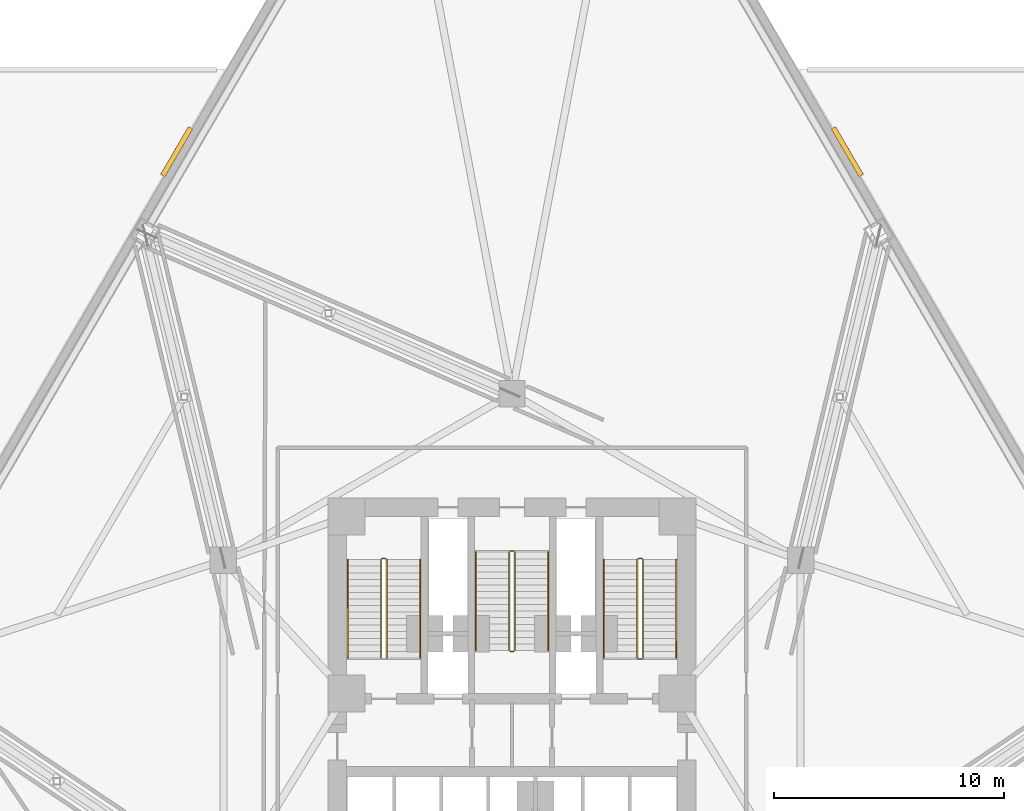
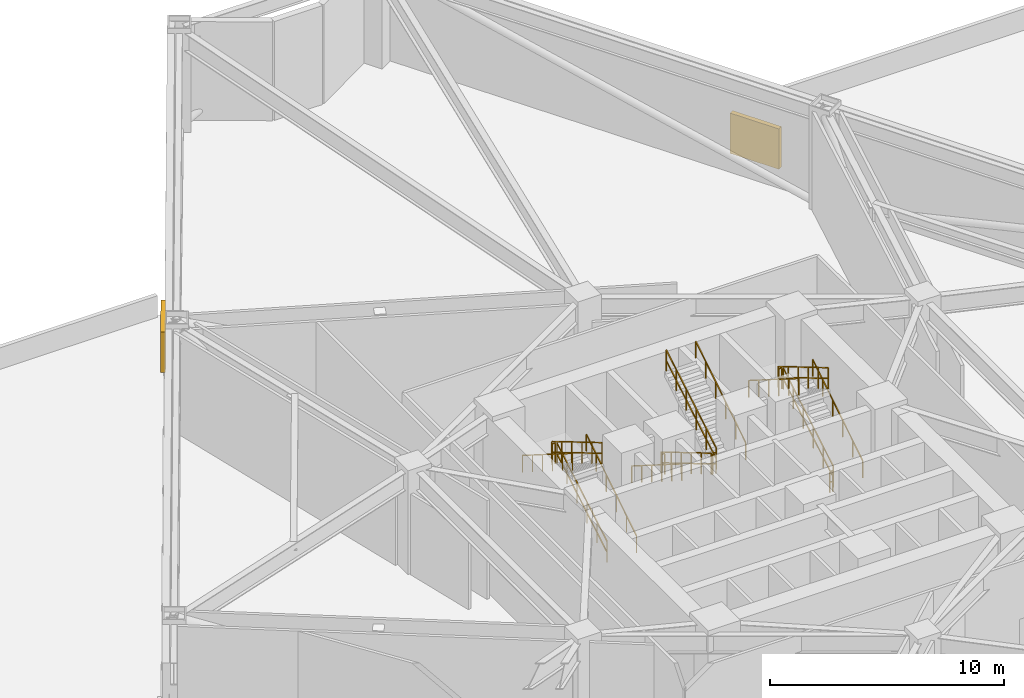
# One storey, part 22 of 23: 17 railings, 2 shading devices.
"""IFC4 building model written with IfcOpenShell, lengths in metres."""

from ifc_helpers import new_model, si_unit, direction, frame, origin, origin_2d, place, context, subcontext, project, spatial, rectangle, extrude, material, type_object, element, save


model = new_model("IFC4")

# Units and contexts
model_context = context("Model", 3, precision=1e-05, world=origin(), true_north=direction((0.0, 1.0)))
body_context = subcontext(model_context, "Body", "Model", "MODEL_VIEW")
ifc_project = project(units=[si_unit("LENGTHUNIT", "METRE"), si_unit("AREAUNIT", "SQUARE_METRE"), si_unit("VOLUMEUNIT", "CUBIC_METRE"), si_unit("PLANEANGLEUNIT", "RADIAN"), si_unit("MASSUNIT", "GRAM", prefix="KILO")], contexts=[model_context])

# Site, building, storey
site_placement = place(None, origin())
site = spatial("IfcSite", under=ifc_project, at=site_placement, CompositionType="ELEMENT")
building_placement = place(site_placement, origin())
building = spatial("IfcBuilding", under=site, at=building_placement, Name="Apsidion Concourse Tower", CompositionType="ELEMENT")
storey_placement = place(building_placement, frame((0.0, 0.0, 29.0)))
storey = spatial("IfcBuildingStorey", under=building, at=storey_placement, Name="L05", CompositionType="ELEMENT", Elevation=29.0)

# Railings
ifc_material_1 = material(Name="Brushed stainless steel 316", Category="steel")
railing_type_1 = type_object("IfcRailingType", Name="RL-GUARD-1100", PredefinedType="GUARDRAIL", material=ifc_material_1)
railing_1_placement = place(storey_placement, frame((-5.449951171875, 3.0, 0.168701171875)))
element("IfcRailing", 1, at=railing_1_placement, inside=storey, type_object=railing_type_1, Name="L05 ST1 stair guard 1", PredefinedType="GUARDRAIL", context=body_context, shape_type="SweptSolid", body=[
    extrude(rectangle(XDim=0.048095703125, YDim=0.048095703125, at=origin_2d()), frame((0.0, 0.0, 1.09619140625), z_axis=(0.0, 0.860470286479, 0.509500624227), x_axis=(-1.0, 0.0, 0.0)), (0.0, 0.0, 1.0), 4.968017578125),
    extrude(rectangle(XDim=0.048095703125, YDim=0.048095703125, at=origin_2d()), frame((0.0, 0.0, 0.5361328125), z_axis=(0.0, 0.860470286479, 0.509500624227), x_axis=(-1.0, 0.0, 0.0)), (0.0, 0.0, 1.0), 4.968017578125),
    extrude(rectangle(XDim=0.0419921875, YDim=0.0419921875, at=origin_2d()), origin(), (0.0, 0.0, 1.0), 1.072021484375),
    extrude(rectangle(XDim=0.0419921875, YDim=0.0419921875, at=origin_2d()), frame((0.0, 0.85498046875, 0.50634765625)), (0.0, 0.0, 1.0), 1.072021484375),
    extrude(rectangle(XDim=0.0419921875, YDim=0.0419921875, at=origin_2d()), frame((0.0, 1.7099609375, 1.012451171875)), (0.0, 0.0, 1.0), 1.072021484375),
    extrude(rectangle(XDim=0.0419921875, YDim=0.0419921875, at=origin_2d()), frame((0.0, 2.56494140625, 1.518798828125)), (0.0, 0.0, 1.0), 1.072021484375),
    extrude(rectangle(XDim=0.0419921875, YDim=0.0419921875, at=origin_2d()), frame((0.0, 3.419921875, 2.02490234375)), (0.0, 0.0, 1.0), 1.072021484375),
    extrude(rectangle(XDim=0.0419921875, YDim=0.0419921875, at=origin_2d()), frame((0.0, 4.27490234375, 2.53125)), (0.0, 0.0, 1.0), 1.072021484375),
])
railing_2_placement = place(storey_placement, frame((-5.5, 7.324951171875, 2.699951171875)))
element("IfcRailing", 2, at=railing_2_placement, inside=storey, type_object=railing_type_1, Name="L05 ST1 stair guard 2", PredefinedType="GUARDRAIL", context=body_context, shape_type="SweptSolid", body=[
    extrude(rectangle(XDim=0.048095703125, YDim=0.048095703125, at=origin_2d()), frame((0.0, 0.0, 1.09619140625), z_axis=(-1.0, 0.0, 0.0), x_axis=(0.0, -1.0, 0.0)), (0.0, 0.0, 1.0), 0.14990234375),
    extrude(rectangle(XDim=0.048095703125, YDim=0.048095703125, at=origin_2d()), frame((0.0, 0.0, 0.5361328125), z_axis=(-1.0, 0.0, 0.0), x_axis=(0.0, -1.0, 0.0)), (0.0, 0.0, 1.0), 0.14990234375),
    extrude(rectangle(XDim=0.0419921875, YDim=0.0419921875, at=origin_2d()), origin(), (0.0, 0.0, 1.0), 1.072021484375),
    extrude(rectangle(XDim=0.0419921875, YDim=0.0419921875, at=origin_2d()), frame((-0.14990234375, 0.0, 0.0)), (0.0, 0.0, 1.0), 1.072021484375),
])
railing_3_placement = place(storey_placement, frame((-5.699951171875, 7.27490234375, 2.86865234375)))
element("IfcRailing", 3, at=railing_3_placement, inside=storey, type_object=railing_type_1, Name="L05 ST1 stair guard 3", PredefinedType="GUARDRAIL", context=body_context, shape_type="SweptSolid", body=[
    extrude(rectangle(XDim=0.048095703125, YDim=0.048095703125, at=origin_2d()), frame((0.0, 0.0, 1.09619140625), z_axis=(0.0, -0.860470286479, 0.509500624227), x_axis=(1.0, 0.0, 0.0)), (0.0, 0.0, 1.0), 4.968017578125),
    extrude(rectangle(XDim=0.048095703125, YDim=0.048095703125, at=origin_2d()), frame((0.0, 0.0, 0.5361328125), z_axis=(0.0, -0.860470286479, 0.509500624227), x_axis=(1.0, 0.0, 0.0)), (0.0, 0.0, 1.0), 4.968017578125),
    extrude(rectangle(XDim=0.0419921875, YDim=0.0419921875, at=origin_2d()), origin(), (0.0, 0.0, 1.0), 1.072021484375),
    extrude(rectangle(XDim=0.0419921875, YDim=0.0419921875, at=origin_2d()), frame((0.0, -0.85498046875, 0.50634765625)), (0.0, 0.0, 1.0), 1.072021484375),
    extrude(rectangle(XDim=0.0419921875, YDim=0.0419921875, at=origin_2d()), frame((0.0, -1.7099609375, 1.012451171875)), (0.0, 0.0, 1.0), 1.072021484375),
    extrude(rectangle(XDim=0.0419921875, YDim=0.0419921875, at=origin_2d()), frame((0.0, -2.56494140625, 1.518798828125)), (0.0, 0.0, 1.0), 1.072021484375),
    extrude(rectangle(XDim=0.0419921875, YDim=0.0419921875, at=origin_2d()), frame((0.0, -3.419921875, 2.02490234375)), (0.0, 0.0, 1.0), 1.072021484375),
    extrude(rectangle(XDim=0.0419921875, YDim=0.0419921875, at=origin_2d()), frame((0.0, -4.27490234375, 2.53125)), (0.0, 0.0, 1.0), 1.072021484375),
])
railing_4_placement = place(storey_placement, frame((5.699951171875, 3.0, 0.168701171875)))
element("IfcRailing", 4, at=railing_4_placement, inside=storey, type_object=railing_type_1, Name="L05 ST2 stair guard 1", PredefinedType="GUARDRAIL", context=body_context, shape_type="SweptSolid", body=[
    extrude(rectangle(XDim=0.048095703125, YDim=0.048095703125, at=origin_2d()), frame((0.0, 0.0, 1.09619140625), z_axis=(0.0, 0.860470286479, 0.509500624227), x_axis=(-1.0, 0.0, 0.0)), (0.0, 0.0, 1.0), 4.968017578125),
    extrude(rectangle(XDim=0.048095703125, YDim=0.048095703125, at=origin_2d()), frame((0.0, 0.0, 0.5361328125), z_axis=(0.0, 0.860470286479, 0.509500624227), x_axis=(-1.0, 0.0, 0.0)), (0.0, 0.0, 1.0), 4.968017578125),
    extrude(rectangle(XDim=0.0419921875, YDim=0.0419921875, at=origin_2d()), origin(), (0.0, 0.0, 1.0), 1.072021484375),
    extrude(rectangle(XDim=0.0419921875, YDim=0.0419921875, at=origin_2d()), frame((0.0, 0.85498046875, 0.50634765625)), (0.0, 0.0, 1.0), 1.072021484375),
    extrude(rectangle(XDim=0.0419921875, YDim=0.0419921875, at=origin_2d()), frame((0.0, 1.7099609375, 1.012451171875)), (0.0, 0.0, 1.0), 1.072021484375),
    extrude(rectangle(XDim=0.0419921875, YDim=0.0419921875, at=origin_2d()), frame((0.0, 2.56494140625, 1.518798828125)), (0.0, 0.0, 1.0), 1.072021484375),
    extrude(rectangle(XDim=0.0419921875, YDim=0.0419921875, at=origin_2d()), frame((0.0, 3.419921875, 2.02490234375)), (0.0, 0.0, 1.0), 1.072021484375),
    extrude(rectangle(XDim=0.0419921875, YDim=0.0419921875, at=origin_2d()), frame((0.0, 4.27490234375, 2.53125)), (0.0, 0.0, 1.0), 1.072021484375),
])
railing_5_placement = place(storey_placement, frame((5.64990234375, 7.324951171875, 2.699951171875)))
element("IfcRailing", 5, at=railing_5_placement, inside=storey, type_object=railing_type_1, Name="L05 ST2 stair guard 2", PredefinedType="GUARDRAIL", context=body_context, shape_type="SweptSolid", body=[
    extrude(rectangle(XDim=0.048095703125, YDim=0.048095703125, at=origin_2d()), frame((0.0, 0.0, 1.09619140625), z_axis=(-1.0, 0.0, 0.0), x_axis=(0.0, -1.0, 0.0)), (0.0, 0.0, 1.0), 0.14990234375),
    extrude(rectangle(XDim=0.048095703125, YDim=0.048095703125, at=origin_2d()), frame((0.0, 0.0, 0.5361328125), z_axis=(-1.0, 0.0, 0.0), x_axis=(0.0, -1.0, 0.0)), (0.0, 0.0, 1.0), 0.14990234375),
    extrude(rectangle(XDim=0.0419921875, YDim=0.0419921875, at=origin_2d()), origin(), (0.0, 0.0, 1.0), 1.072021484375),
    extrude(rectangle(XDim=0.0419921875, YDim=0.0419921875, at=origin_2d()), frame((-0.14990234375, 0.0, 0.0)), (0.0, 0.0, 1.0), 1.072021484375),
])
railing_6_placement = place(storey_placement, frame((5.449951171875, 7.27490234375, 2.86865234375)))
element("IfcRailing", 6, at=railing_6_placement, inside=storey, type_object=railing_type_1, Name="L05 ST2 stair guard 3", PredefinedType="GUARDRAIL", context=body_context, shape_type="SweptSolid", body=[
    extrude(rectangle(XDim=0.048095703125, YDim=0.048095703125, at=origin_2d()), frame((0.0, 0.0, 1.09619140625), z_axis=(0.0, -0.860470286479, 0.509500624227), x_axis=(1.0, 0.0, 0.0)), (0.0, 0.0, 1.0), 4.968017578125),
    extrude(rectangle(XDim=0.048095703125, YDim=0.048095703125, at=origin_2d()), frame((0.0, 0.0, 0.5361328125), z_axis=(0.0, -0.860470286479, 0.509500624227), x_axis=(1.0, 0.0, 0.0)), (0.0, 0.0, 1.0), 4.968017578125),
    extrude(rectangle(XDim=0.0419921875, YDim=0.0419921875, at=origin_2d()), origin(), (0.0, 0.0, 1.0), 1.072021484375),
    extrude(rectangle(XDim=0.0419921875, YDim=0.0419921875, at=origin_2d()), frame((0.0, -0.85498046875, 0.50634765625)), (0.0, 0.0, 1.0), 1.072021484375),
    extrude(rectangle(XDim=0.0419921875, YDim=0.0419921875, at=origin_2d()), frame((0.0, -1.7099609375, 1.012451171875)), (0.0, 0.0, 1.0), 1.072021484375),
    extrude(rectangle(XDim=0.0419921875, YDim=0.0419921875, at=origin_2d()), frame((0.0, -2.56494140625, 1.518798828125)), (0.0, 0.0, 1.0), 1.072021484375),
    extrude(rectangle(XDim=0.0419921875, YDim=0.0419921875, at=origin_2d()), frame((0.0, -3.419921875, 2.02490234375)), (0.0, 0.0, 1.0), 1.072021484375),
    extrude(rectangle(XDim=0.0419921875, YDim=0.0419921875, at=origin_2d()), frame((0.0, -4.27490234375, 2.53125)), (0.0, 0.0, 1.0), 1.072021484375),
])
railing_7_placement = place(storey_placement, frame((5.64990234375, 2.949951171875, 0.0)))
element("IfcRailing", 7, at=railing_7_placement, inside=storey, type_object=railing_type_1, Name="L05 ST2 stair guard 4", PredefinedType="GUARDRAIL", context=body_context, shape_type="SweptSolid", body=[
    extrude(rectangle(XDim=0.048095703125, YDim=0.048095703125, at=origin_2d()), frame((0.0, 0.0, 1.09619140625), z_axis=(-1.0, 0.0, 0.0), x_axis=(0.0, -1.0, 0.0)), (0.0, 0.0, 1.0), 0.14990234375),
    extrude(rectangle(XDim=0.048095703125, YDim=0.048095703125, at=origin_2d()), frame((0.0, 0.0, 0.5361328125), z_axis=(-1.0, 0.0, 0.0), x_axis=(0.0, -1.0, 0.0)), (0.0, 0.0, 1.0), 0.14990234375),
    extrude(rectangle(XDim=0.0419921875, YDim=0.0419921875, at=origin_2d()), origin(), (0.0, 0.0, 1.0), 1.072021484375),
    extrude(rectangle(XDim=0.0419921875, YDim=0.0419921875, at=origin_2d()), frame((-0.14990234375, 0.0, 0.0)), (0.0, 0.0, 1.0), 1.072021484375),
])
railing_8_placement = place(storey_placement, frame((-0.125, 7.60009765625, 0.168701171875)))
element("IfcRailing", 8, at=railing_8_placement, inside=storey, type_object=railing_type_1, Name="L05 ST3 stair guard 1", PredefinedType="GUARDRAIL", context=body_context, shape_type="SweptSolid", body=[
    extrude(rectangle(XDim=0.048095703125, YDim=0.048095703125, at=origin_2d()), frame((0.0, 0.0, 1.09619140625), z_axis=(0.0, -0.860483042394, 0.50947908078), x_axis=(1.0, 0.0, 0.0)), (0.0, 0.0, 1.0), 4.96826171875),
    extrude(rectangle(XDim=0.048095703125, YDim=0.048095703125, at=origin_2d()), frame((0.0, 0.0, 0.5361328125), z_axis=(0.0, -0.860483042394, 0.50947908078), x_axis=(1.0, 0.0, 0.0)), (0.0, 0.0, 1.0), 4.96826171875),
    extrude(rectangle(XDim=0.0419921875, YDim=0.0419921875, at=origin_2d()), origin(), (0.0, 0.0, 1.0), 1.072021484375),
    extrude(rectangle(XDim=0.0419921875, YDim=0.0419921875, at=origin_2d()), frame((0.0, -0.85498046875, 0.50634765625)), (0.0, 0.0, 1.0), 1.072021484375),
    extrude(rectangle(XDim=0.0419921875, YDim=0.0419921875, at=origin_2d()), frame((0.0, -1.7099609375, 1.012451171875)), (0.0, 0.0, 1.0), 1.072021484375),
    extrude(rectangle(XDim=0.0419921875, YDim=0.0419921875, at=origin_2d()), frame((0.0, -2.565185546875, 1.518798828125)), (0.0, 0.0, 1.0), 1.072021484375),
    extrude(rectangle(XDim=0.0419921875, YDim=0.0419921875, at=origin_2d()), frame((0.0, -3.420166015625, 2.02490234375)), (0.0, 0.0, 1.0), 1.072021484375),
    extrude(rectangle(XDim=0.0419921875, YDim=0.0419921875, at=origin_2d()), frame((0.0, -4.275146484375, 2.53125)), (0.0, 0.0, 1.0), 1.072021484375),
])
railing_9_placement = place(storey_placement, frame((-0.074951171875, 3.27490234375, 2.699951171875)))
element("IfcRailing", 9, at=railing_9_placement, inside=storey, type_object=railing_type_1, Name="L05 ST3 stair guard 2", PredefinedType="GUARDRAIL", context=body_context, shape_type="SweptSolid", body=[
    extrude(rectangle(XDim=0.048095703125, YDim=0.048095703125, at=origin_2d()), frame((0.0, 0.0, 1.09619140625), z_axis=(1.0, 0.0, 0.0), x_axis=(0.0, 1.0, 0.0)), (0.0, 0.0, 1.0), 0.14990234375),
    extrude(rectangle(XDim=0.048095703125, YDim=0.048095703125, at=origin_2d()), frame((0.0, 0.0, 0.5361328125), z_axis=(1.0, 0.0, 0.0), x_axis=(0.0, 1.0, 0.0)), (0.0, 0.0, 1.0), 0.14990234375),
    extrude(rectangle(XDim=0.0419921875, YDim=0.0419921875, at=origin_2d()), origin(), (0.0, 0.0, 1.0), 1.072021484375),
    extrude(rectangle(XDim=0.0419921875, YDim=0.0419921875, at=origin_2d()), frame((0.14990234375, 0.0, 0.0)), (0.0, 0.0, 1.0), 1.072021484375),
])
railing_10_placement = place(storey_placement, frame((0.125, 3.324951171875, 2.86865234375)))
element("IfcRailing", 10, at=railing_10_placement, inside=storey, type_object=railing_type_1, Name="L05 ST3 stair guard 3", PredefinedType="GUARDRAIL", context=body_context, shape_type="SweptSolid", body=[
    extrude(rectangle(XDim=0.048095703125, YDim=0.048095703125, at=origin_2d()), frame((0.0, 0.0, 1.09619140625), z_axis=(0.0, 0.860483042394, 0.50947908078), x_axis=(-1.0, 0.0, 0.0)), (0.0, 0.0, 1.0), 4.96826171875),
    extrude(rectangle(XDim=0.048095703125, YDim=0.048095703125, at=origin_2d()), frame((0.0, 0.0, 0.5361328125), z_axis=(0.0, 0.860483042394, 0.50947908078), x_axis=(-1.0, 0.0, 0.0)), (0.0, 0.0, 1.0), 4.96826171875),
    extrude(rectangle(XDim=0.0419921875, YDim=0.0419921875, at=origin_2d()), origin(), (0.0, 0.0, 1.0), 1.072021484375),
    extrude(rectangle(XDim=0.0419921875, YDim=0.0419921875, at=origin_2d()), frame((0.0, 0.85498046875, 0.50634765625)), (0.0, 0.0, 1.0), 1.072021484375),
    extrude(rectangle(XDim=0.0419921875, YDim=0.0419921875, at=origin_2d()), frame((0.0, 1.7099609375, 1.012451171875)), (0.0, 0.0, 1.0), 1.072021484375),
    extrude(rectangle(XDim=0.0419921875, YDim=0.0419921875, at=origin_2d()), frame((0.0, 2.565185546875, 1.518798828125)), (0.0, 0.0, 1.0), 1.072021484375),
    extrude(rectangle(XDim=0.0419921875, YDim=0.0419921875, at=origin_2d()), frame((0.0, 3.420166015625, 2.02490234375)), (0.0, 0.0, 1.0), 1.072021484375),
    extrude(rectangle(XDim=0.0419921875, YDim=0.0419921875, at=origin_2d()), frame((0.0, 4.275146484375, 2.53125)), (0.0, 0.0, 1.0), 1.072021484375),
])
railing_11_placement = place(storey_placement, frame((-0.074951171875, 7.64990234375, 0.0)))
element("IfcRailing", 11, at=railing_11_placement, inside=storey, type_object=railing_type_1, Name="L05 ST3 stair guard 4", PredefinedType="GUARDRAIL", context=body_context, shape_type="SweptSolid", body=[
    extrude(rectangle(XDim=0.048095703125, YDim=0.048095703125, at=origin_2d()), frame((0.0, 0.0, 1.09619140625), z_axis=(1.0, 0.0, 0.0), x_axis=(0.0, 1.0, 0.0)), (0.0, 0.0, 1.0), 0.14990234375),
    extrude(rectangle(XDim=0.048095703125, YDim=0.048095703125, at=origin_2d()), frame((0.0, 0.0, 0.5361328125), z_axis=(1.0, 0.0, 0.0), x_axis=(0.0, 1.0, 0.0)), (0.0, 0.0, 1.0), 0.14990234375),
    extrude(rectangle(XDim=0.0419921875, YDim=0.0419921875, at=origin_2d()), origin(), (0.0, 0.0, 1.0), 1.072021484375),
    extrude(rectangle(XDim=0.0419921875, YDim=0.0419921875, at=origin_2d()), frame((0.14990234375, 0.0, 0.0)), (0.0, 0.0, 1.0), 1.072021484375),
])
railing_type_2 = type_object("IfcRailingType", Name="RL-HAND-900", PredefinedType="HANDRAIL", material=ifc_material_1)
railing_12_placement = place(storey_placement, frame((-4.0, 3.0, 0.168701171875)))
element("IfcRailing", 12, at=railing_12_placement, inside=storey, type_object=railing_type_2, Name="L05 ST1 stair handrail 1", PredefinedType="HANDRAIL", context=body_context, shape_type="SweptSolid", body=[
    extrude(rectangle(XDim=0.048095703125, YDim=0.048095703125, at=origin_2d()), frame((0.0, 0.0, 0.8759765625), z_axis=(0.0, 0.845487755639, 0.533994808088), x_axis=(-1.0, 0.0, 0.0)), (0.0, 0.0, 1.0), 5.05615234375),
    extrude(rectangle(XDim=0.0419921875, YDim=0.0419921875, at=origin_2d()), origin(), (0.0, 0.0, 1.0), 0.851806640625),
    extrude(rectangle(XDim=0.0419921875, YDim=0.0419921875, at=origin_2d()), frame((0.0, 0.85498046875, 0.5400390625)), (0.0, 0.0, 1.0), 0.851806640625),
    extrude(rectangle(XDim=0.0419921875, YDim=0.0419921875, at=origin_2d()), frame((0.0, 1.7099609375, 1.080078125)), (0.0, 0.0, 1.0), 0.851806640625),
    extrude(rectangle(XDim=0.0419921875, YDim=0.0419921875, at=origin_2d()), frame((0.0, 2.56494140625, 1.619873046875)), (0.0, 0.0, 1.0), 0.851806640625),
    extrude(rectangle(XDim=0.0419921875, YDim=0.0419921875, at=origin_2d()), frame((0.0, 3.419921875, 2.159912109375)), (0.0, 0.0, 1.0), 0.851806640625),
    extrude(rectangle(XDim=0.0419921875, YDim=0.0419921875, at=origin_2d()), frame((0.0, 4.27490234375, 2.699951171875)), (0.0, 0.0, 1.0), 0.851806640625),
])
railing_13_placement = place(storey_placement, frame((-7.14990234375, 7.27490234375, 2.86865234375)))
element("IfcRailing", 13, at=railing_13_placement, inside=storey, type_object=railing_type_2, Name="L05 ST1 stair handrail 2", PredefinedType="HANDRAIL", context=body_context, shape_type="SweptSolid", body=[
    extrude(rectangle(XDim=0.048095703125, YDim=0.048095703125, at=origin_2d()), frame((0.0, 0.0, 0.8759765625), z_axis=(0.0, -0.845465955043, 0.534029323973), x_axis=(1.0, 0.0, 0.0)), (0.0, 0.0, 1.0), 5.05615234375),
    extrude(rectangle(XDim=0.0419921875, YDim=0.0419921875, at=origin_2d()), origin(), (0.0, 0.0, 1.0), 0.851806640625),
    extrude(rectangle(XDim=0.0419921875, YDim=0.0419921875, at=origin_2d()), frame((0.0, -0.85498046875, 0.5400390625)), (0.0, 0.0, 1.0), 0.851806640625),
    extrude(rectangle(XDim=0.0419921875, YDim=0.0419921875, at=origin_2d()), frame((0.0, -1.7099609375, 1.080078125)), (0.0, 0.0, 1.0), 0.851806640625),
    extrude(rectangle(XDim=0.0419921875, YDim=0.0419921875, at=origin_2d()), frame((0.0, -2.56494140625, 1.6201171875)), (0.0, 0.0, 1.0), 0.851806640625),
    extrude(rectangle(XDim=0.0419921875, YDim=0.0419921875, at=origin_2d()), frame((0.0, -3.419921875, 2.16015625)), (0.0, 0.0, 1.0), 0.851806640625),
    extrude(rectangle(XDim=0.0419921875, YDim=0.0419921875, at=origin_2d()), frame((0.0, -4.27490234375, 2.7001953125)), (0.0, 0.0, 1.0), 0.851806640625),
])
railing_14_placement = place(storey_placement, frame((7.14990234375, 3.0, 0.168701171875)))
element("IfcRailing", 14, at=railing_14_placement, inside=storey, type_object=railing_type_2, Name="L05 ST2 stair handrail 1", PredefinedType="HANDRAIL", context=body_context, shape_type="SweptSolid", body=[
    extrude(rectangle(XDim=0.048095703125, YDim=0.048095703125, at=origin_2d()), frame((0.0, 0.0, 0.8759765625), z_axis=(0.0, 0.845487755639, 0.533994808088), x_axis=(-1.0, 0.0, 0.0)), (0.0, 0.0, 1.0), 5.05615234375),
    extrude(rectangle(XDim=0.0419921875, YDim=0.0419921875, at=origin_2d()), origin(), (0.0, 0.0, 1.0), 0.851806640625),
    extrude(rectangle(XDim=0.0419921875, YDim=0.0419921875, at=origin_2d()), frame((0.0, 0.85498046875, 0.5400390625)), (0.0, 0.0, 1.0), 0.851806640625),
    extrude(rectangle(XDim=0.0419921875, YDim=0.0419921875, at=origin_2d()), frame((0.0, 1.7099609375, 1.080078125)), (0.0, 0.0, 1.0), 0.851806640625),
    extrude(rectangle(XDim=0.0419921875, YDim=0.0419921875, at=origin_2d()), frame((0.0, 2.56494140625, 1.619873046875)), (0.0, 0.0, 1.0), 0.851806640625),
    extrude(rectangle(XDim=0.0419921875, YDim=0.0419921875, at=origin_2d()), frame((0.0, 3.419921875, 2.159912109375)), (0.0, 0.0, 1.0), 0.851806640625),
    extrude(rectangle(XDim=0.0419921875, YDim=0.0419921875, at=origin_2d()), frame((0.0, 4.27490234375, 2.699951171875)), (0.0, 0.0, 1.0), 0.851806640625),
])
railing_15_placement = place(storey_placement, frame((4.0, 7.27490234375, 2.86865234375)))
element("IfcRailing", 15, at=railing_15_placement, inside=storey, type_object=railing_type_2, Name="L05 ST2 stair handrail 2", PredefinedType="HANDRAIL", context=body_context, shape_type="SweptSolid", body=[
    extrude(rectangle(XDim=0.048095703125, YDim=0.048095703125, at=origin_2d()), frame((0.0, 0.0, 0.8759765625), z_axis=(0.0, -0.845465955043, 0.534029323973), x_axis=(1.0, 0.0, 0.0)), (0.0, 0.0, 1.0), 5.05615234375),
    extrude(rectangle(XDim=0.0419921875, YDim=0.0419921875, at=origin_2d()), origin(), (0.0, 0.0, 1.0), 0.851806640625),
    extrude(rectangle(XDim=0.0419921875, YDim=0.0419921875, at=origin_2d()), frame((0.0, -0.85498046875, 0.5400390625)), (0.0, 0.0, 1.0), 0.851806640625),
    extrude(rectangle(XDim=0.0419921875, YDim=0.0419921875, at=origin_2d()), frame((0.0, -1.7099609375, 1.080078125)), (0.0, 0.0, 1.0), 0.851806640625),
    extrude(rectangle(XDim=0.0419921875, YDim=0.0419921875, at=origin_2d()), frame((0.0, -2.56494140625, 1.6201171875)), (0.0, 0.0, 1.0), 0.851806640625),
    extrude(rectangle(XDim=0.0419921875, YDim=0.0419921875, at=origin_2d()), frame((0.0, -3.419921875, 2.16015625)), (0.0, 0.0, 1.0), 0.851806640625),
    extrude(rectangle(XDim=0.0419921875, YDim=0.0419921875, at=origin_2d()), frame((0.0, -4.27490234375, 2.7001953125)), (0.0, 0.0, 1.0), 0.851806640625),
])
railing_16_placement = place(storey_placement, frame((-1.574951171875, 7.60009765625, 0.168701171875)))
element("IfcRailing", 16, at=railing_16_placement, inside=storey, type_object=railing_type_2, Name="L05 ST3 stair handrail 1", PredefinedType="HANDRAIL", context=body_context, shape_type="SweptSolid", body=[
    extrude(rectangle(XDim=0.048095703125, YDim=0.048095703125, at=origin_2d()), frame((0.0, 0.0, 0.8759765625), z_axis=(0.0, -0.845501523569, 0.533973008346), x_axis=(1.0, 0.0, 0.0)), (0.0, 0.0, 1.0), 5.056396484375),
    extrude(rectangle(XDim=0.0419921875, YDim=0.0419921875, at=origin_2d()), origin(), (0.0, 0.0, 1.0), 0.851806640625),
    extrude(rectangle(XDim=0.0419921875, YDim=0.0419921875, at=origin_2d()), frame((0.0, -0.85498046875, 0.5400390625)), (0.0, 0.0, 1.0), 0.851806640625),
    extrude(rectangle(XDim=0.0419921875, YDim=0.0419921875, at=origin_2d()), frame((0.0, -1.7099609375, 1.080078125)), (0.0, 0.0, 1.0), 0.851806640625),
    extrude(rectangle(XDim=0.0419921875, YDim=0.0419921875, at=origin_2d()), frame((0.0, -2.565185546875, 1.619873046875)), (0.0, 0.0, 1.0), 0.851806640625),
    extrude(rectangle(XDim=0.0419921875, YDim=0.0419921875, at=origin_2d()), frame((0.0, -3.420166015625, 2.159912109375)), (0.0, 0.0, 1.0), 0.851806640625),
    extrude(rectangle(XDim=0.0419921875, YDim=0.0419921875, at=origin_2d()), frame((0.0, -4.275146484375, 2.699951171875)), (0.0, 0.0, 1.0), 0.851806640625),
])
railing_17_placement = place(storey_placement, frame((1.574951171875, 3.324951171875, 2.86865234375)))
element("IfcRailing", 17, at=railing_17_placement, inside=storey, type_object=railing_type_2, Name="L05 ST3 stair handrail 2", PredefinedType="HANDRAIL", context=body_context, shape_type="SweptSolid", body=[
    extrude(rectangle(XDim=0.048095703125, YDim=0.048095703125, at=origin_2d()), frame((0.0, 0.0, 0.8759765625), z_axis=(0.0, 0.845479724398, 0.534007523947), x_axis=(-1.0, 0.0, 0.0)), (0.0, 0.0, 1.0), 5.056396484375),
    extrude(rectangle(XDim=0.0419921875, YDim=0.0419921875, at=origin_2d()), origin(), (0.0, 0.0, 1.0), 0.851806640625),
    extrude(rectangle(XDim=0.0419921875, YDim=0.0419921875, at=origin_2d()), frame((0.0, 0.85498046875, 0.5400390625)), (0.0, 0.0, 1.0), 0.851806640625),
    extrude(rectangle(XDim=0.0419921875, YDim=0.0419921875, at=origin_2d()), frame((0.0, 1.7099609375, 1.080078125)), (0.0, 0.0, 1.0), 0.851806640625),
    extrude(rectangle(XDim=0.0419921875, YDim=0.0419921875, at=origin_2d()), frame((0.0, 2.565185546875, 1.6201171875)), (0.0, 0.0, 1.0), 0.851806640625),
    extrude(rectangle(XDim=0.0419921875, YDim=0.0419921875, at=origin_2d()), frame((0.0, 3.420166015625, 2.16015625)), (0.0, 0.0, 1.0), 0.851806640625),
    extrude(rectangle(XDim=0.0419921875, YDim=0.0419921875, at=origin_2d()), frame((0.0, 4.275146484375, 2.7001953125)), (0.0, 0.0, 1.0), 0.851806640625),
])

# Shading devices
ifc_material_2 = material(Name="Anodised aluminium EN AW-6063 T6", Category="aluminium")
shading_device_type = type_object("IfcShadingDeviceType", Name="SH-LOUVRE-AL", PredefinedType="JALOUSIE", material=ifc_material_2)
for number, where, z_axis, x_axis, name in (
    (18, (14.594970703125, 25.031982421875, 0.75), (0.0, 0.0, 1.0), (0.504226211181, -0.863571611366, 0.0), "L05 Plant Acoustic Louvre Bank 1-1"),
    (19, (-14.594970703125, 25.031982421875, 0.75), (0.0, 0.0, 1.0), (0.504226211181, 0.863571611366, 0.0), "L05 Plant Acoustic Louvre Bank 9-2"),
):
    element("IfcShadingDevice", number, at=place(storey_placement, frame(where, z_axis=z_axis, x_axis=x_axis)), inside=storey, type_object=shading_device_type, Name=name, PredefinedType="JALOUSIE", context=body_context, shape_type="SweptSolid", body=[
        extrude(rectangle(XDim=2.39990234375, YDim=0.219970703125, at=origin_2d()), origin(), (0.0, 0.0, 1.0), 2.10009765625),
    ])

save(model, "model.ifc")
